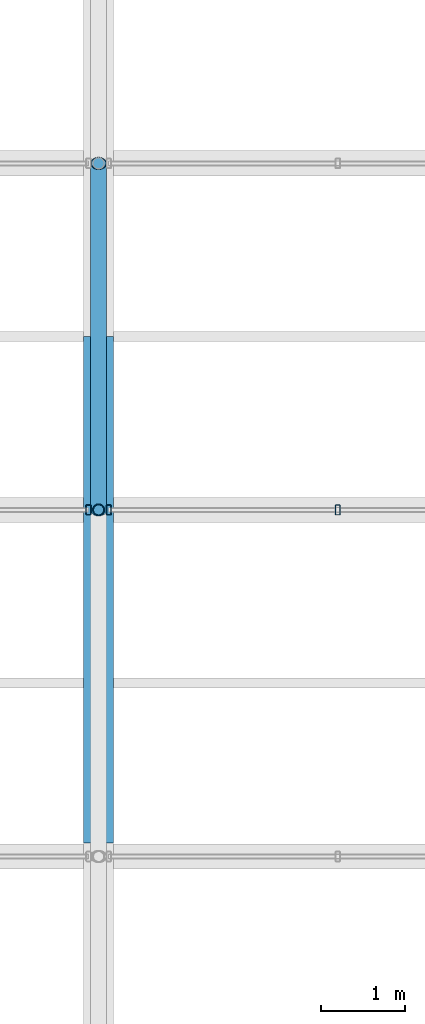
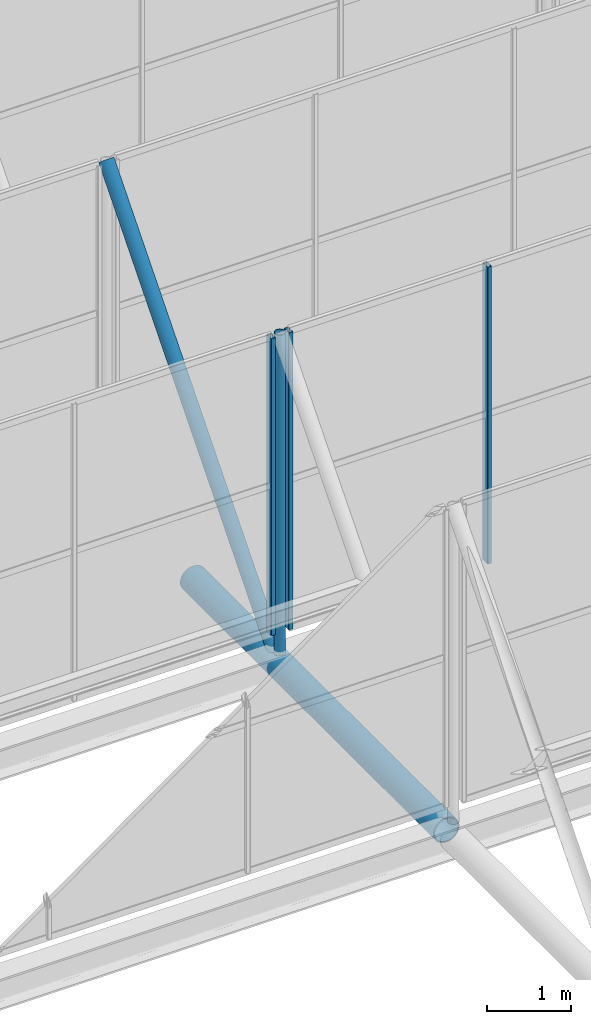
# One storey, part 20 of 77: 6 members, 2 elements without a shape of their own.
"""IFC4 building model written with IfcOpenShell, lengths in metres."""

from ifc_helpers import new_model, si_unit, derived_unit, direction, frame, origin, origin_2d, place, context, subcontext, project, spatial, hollow_rectangle, hollow_circle, extrude, material, material_profile, profile_set, type_object, element, aggregate, save


model = new_model("IFC4")

# Units and contexts
model_context = context("Model", 3, precision=1e-05, world=origin(), true_north=direction((0.0, 1.0)))
body_context = subcontext(model_context, "Body", "Model", "MODEL_VIEW")
ifc_project = project(units=[si_unit("LENGTHUNIT", "METRE"), si_unit("AREAUNIT", "SQUARE_METRE"), si_unit("VOLUMEUNIT", "CUBIC_METRE"), si_unit("PLANEANGLEUNIT", "RADIAN"), si_unit("MASSUNIT", "GRAM", prefix="KILO"), derived_unit("THERMALTRANSMITTANCEUNIT", [(si_unit("MASSUNIT", "GRAM", prefix="KILO"), 1), (si_unit("TIMEUNIT", "SECOND"), -3), (si_unit("THERMODYNAMICTEMPERATUREUNIT", "KELVIN"), -1)])], contexts=[model_context])

# Site, building, storey
site_placement = place(None, origin())
site = spatial("IfcSite", under=ifc_project, at=site_placement, CompositionType="ELEMENT")
building_placement = place(site_placement, origin())
building = spatial("IfcBuilding", under=site, at=building_placement, Name="Kharveza Railside Sports Centre", CompositionType="ELEMENT")
storey_placement = place(building_placement, frame((0.0, 0.0, 17.10009765625)))
storey = spatial("IfcBuildingStorey", under=building, at=storey_placement, Name="L04", CompositionType="ELEMENT", Elevation=17.10009765625)

# Curtain wall, member
ifc_material_1 = material(Name="Low-E solar-control laminated glass", Category="glass")
curtain_wall_type = type_object("IfcCurtainWallType", Name="CW-NL01", PredefinedType="NOTDEFINED", material=ifc_material_1)
curtain_wall_1_placement = place(storey_placement, origin())
curtain_wall_1 = element("IfcCurtainWall", 1, at=curtain_wall_1_placement, inside=storey, type_object=curtain_wall_type, Name="CW-V1NL-3-2", PredefinedType="NOTDEFINED")
ifc_material_2 = material(Name="Anodised aluminium 6063-T6", Category="aluminium")
ifc_material_profile_1 = material_profile(ifc_material_2, hollow_rectangle(XDim=0.06005859375, YDim=0.1201171875, WallThickness=0.0048828125, InnerFilletRadius=0.0048828125, OuterFilletRadius=0.010009765625, at=origin_2d()), Name="RHS 60x120x5.0")
ifc_profile_set_1 = profile_set([ifc_material_profile_1], Name="Anodised aluminium 6063-T6")
member_type_1 = type_object("IfcMemberType", Name="CW-ML05", PredefinedType="MULLION", material=ifc_profile_set_1)
member_1_placement = place(storey_placement, frame((50.280029296875, 48.343017578125, -0.550048828125), z_axis=(0.0, 0.0, 1.0), x_axis=(1.0, 0.0, 0.0)))
member_1 = element("IfcMember", 2, at=member_1_placement, type_object=member_type_1, Name="CW-V1NL-3-2-ML4", PredefinedType="MULLION", context=body_context, shape_type="SweptSolid", body=[
    extrude(hollow_rectangle(XDim=0.06005859375, YDim=0.1201171875, WallThickness=0.0048828125, InnerFilletRadius=0.0048828125, OuterFilletRadius=0.010009765625, at=origin_2d()), origin(), (0.0, 0.0, 1.0), 4.300048828125),
])
aggregate(curtain_wall_1, [member_1])

# Curtain wall, members
curtain_wall_2_placement = place(storey_placement, origin())
curtain_wall_2 = element("IfcCurtainWall", 3, at=curtain_wall_2_placement, inside=storey, type_object=curtain_wall_type, Name="CW-V1NL-3-3", PredefinedType="NOTDEFINED")
member_2_placement = place(storey_placement, frame((50.52001953125, 48.343017578125, -0.550048828125), z_axis=(0.0, 0.0, 1.0), x_axis=(1.0, 0.0, 0.0)))
member_2 = element("IfcMember", 4, at=member_2_placement, type_object=member_type_1, Name="CW-V1NL-3-3-ML1", PredefinedType="MULLION", context=body_context, shape_type="SweptSolid", body=[
    extrude(hollow_rectangle(XDim=0.06005859375, YDim=0.1201171875, WallThickness=0.0048828125, InnerFilletRadius=0.0048828125, OuterFilletRadius=0.010009765625, at=origin_2d()), origin(), (0.0, 0.0, 1.0), 4.300048828125),
])
member_3_placement = place(storey_placement, frame((53.239990234375, 48.343017578125, -0.550048828125), z_axis=(0.0, 0.0, 1.0), x_axis=(1.0, 0.0, 0.0)))
member_3 = element("IfcMember", 5, at=member_3_placement, type_object=member_type_1, Name="CW-V1NL-3-3-ML2", PredefinedType="MULLION", context=body_context, shape_type="SweptSolid", body=[
    extrude(hollow_rectangle(XDim=0.06005859375, YDim=0.1201171875, WallThickness=0.0048828125, InnerFilletRadius=0.0048828125, OuterFilletRadius=0.010009765625, at=origin_2d()), origin(), (0.0, 0.0, 1.0), 4.300048828125),
])
aggregate(curtain_wall_2, [member_2, member_3])

# Members
ifc_material_3 = material(Name="Steel S355J2", Category="steel")
ifc_material_profile_2 = material_profile(ifc_material_3, hollow_circle(Radius=0.177734375, WallThickness=0.01611328125, at=origin_2d()), Name="CHS 355.6x16.0")
ifc_profile_set_2 = profile_set([ifc_material_profile_2], Name="Steel S355J2")
member_type_2 = type_object("IfcMemberType", Name="MB-CH01", PredefinedType="CHORD", material=ifc_profile_set_2)
member_4_placement = place(storey_placement, frame((50.39990234375, 44.390380859375, -1.050048828125), z_axis=(0.0, 1.0, 0.0), x_axis=(-1.0, 0.0, 0.0)))
element("IfcMember", 6, at=member_4_placement, inside=storey, type_object=member_type_2, Name="MB-V1TR-TC-3-4", PredefinedType="CHORD", context=body_context, shape_type="SweptSolid", body=[
    extrude(hollow_circle(Radius=0.177734375, WallThickness=0.01611328125, at=origin_2d()), origin(), (0.0, 0.0, 1.0), 6.009521484375),
])
ifc_material_profile_3 = material_profile(ifc_material_3, hollow_circle(Radius=0.096923828125, WallThickness=0.010009765625, at=origin_2d()), Name="CHS 193.7x10.0")
ifc_profile_set_3 = profile_set([ifc_material_profile_3], Name="Steel S355J2")
member_type_3 = type_object("IfcMemberType", Name="MB-ST02", PredefinedType="STRUT", material=ifc_profile_set_3)
member_5_placement = place(storey_placement, frame((50.39990234375, 48.343017578125, -1.050048828125), z_axis=(0.0, 0.649980985845, 0.759950470781), x_axis=(-1.0, 0.0, 0.0)))
element("IfcMember", 7, at=member_5_placement, inside=storey, type_object=member_type_3, Name="MB-V1SAW-RFT-4-3", PredefinedType="STRUT", context=body_context, shape_type="SweptSolid", body=[
    extrude(hollow_circle(Radius=0.096923828125, WallThickness=0.010009765625, at=origin_2d()), origin(), (0.0, 0.0, 1.0), 6.329345703125),
])
ifc_material_profile_4 = material_profile(ifc_material_3, hollow_circle(Radius=0.06982421875, WallThickness=0.008056640625, at=origin_2d()), Name="CHS 139.7x8.0")
ifc_profile_set_4 = profile_set([ifc_material_profile_4], Name="Steel S355J2")
member_type_4 = type_object("IfcMemberType", Name="MB-ST04", PredefinedType="STRUT", material=ifc_profile_set_4)
member_6_placement = place(storey_placement, frame((50.39990234375, 48.343017578125, -1.050048828125), z_axis=(0.0, 0.0, 1.0), x_axis=(1.0, 0.0, 0.0)))
element("IfcMember", 8, at=member_6_placement, inside=storey, type_object=member_type_4, Name="MB-V1SAW-PST-3-3", PredefinedType="STRUT", context=body_context, shape_type="SweptSolid", body=[
    extrude(hollow_circle(Radius=0.06982421875, WallThickness=0.008056640625, at=origin_2d()), origin(), (0.0, 0.0, 1.0), 4.81005859375),
])

save(model, "model.ifc")
